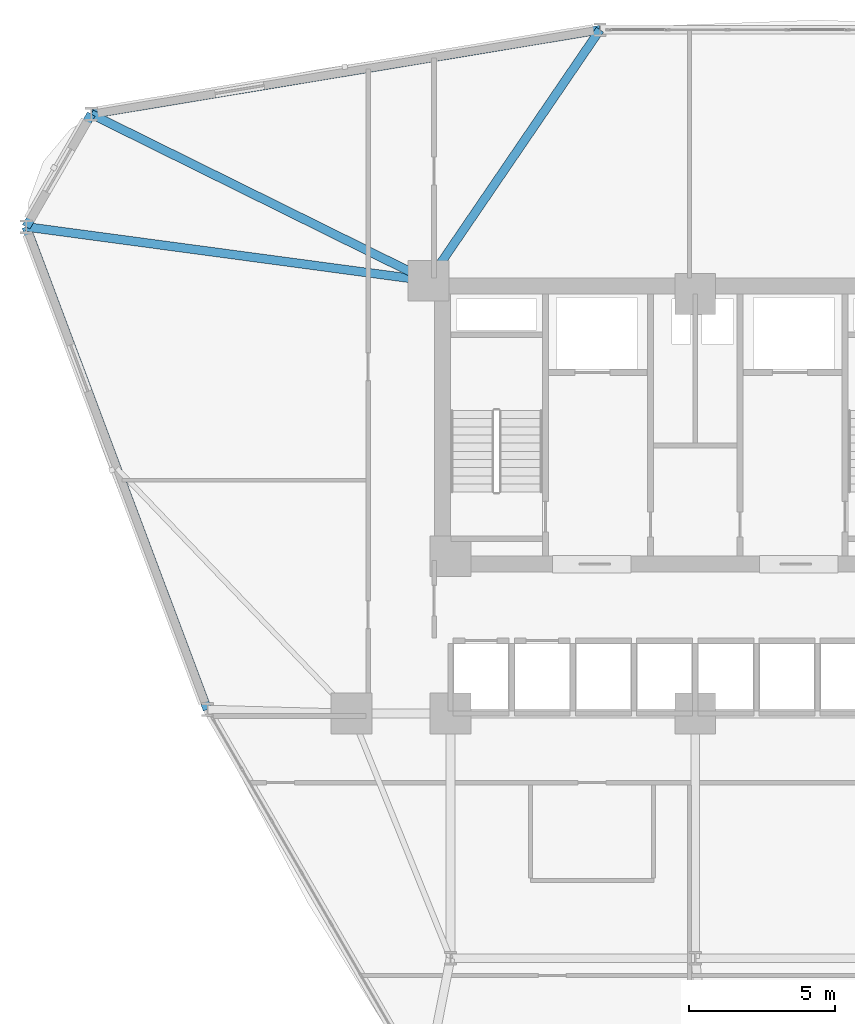
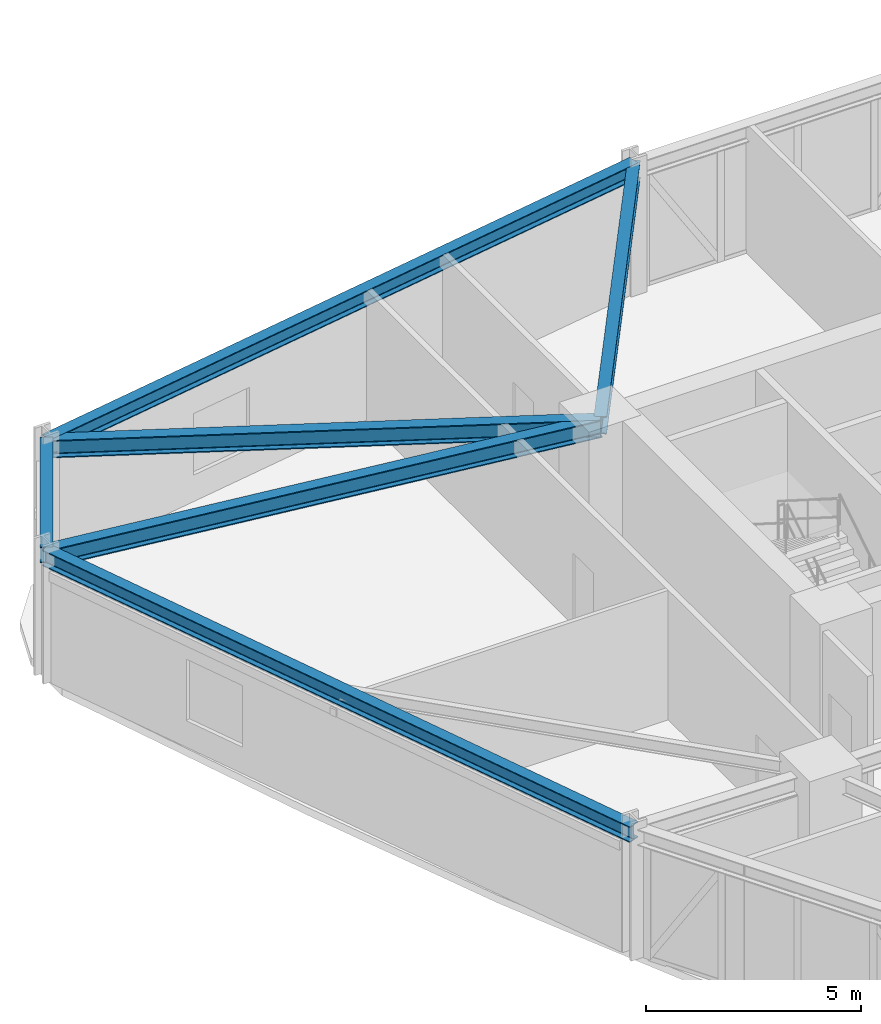
# One storey, part 9 of 20: 6 beams.
"""IFC4 building model written with IfcOpenShell, lengths in metres."""

import ifcopenshell
import ifcopenshell.guid

model = None  # the IFC model being written
_history = None  # IfcOwnerHistory: only IFC2X3 demands one
_inside = {}  # id of a spatial element -> (the spatial element, [elements in it])
_under = {}  # id of a project, library or spatial element -> (it, [spatial elements below it])
_declared = {}  # id of a project -> (the project, [libraries it declares])
_typed = {}  # id of a type object -> (the type object, [elements of that type])
_made_of = {}  # id of a material, layer set ... -> (it, [elements and type objects made of it])


def new_model(schema):
    """Start an empty IFC model of exactly this schema.

    Asked for "IFC4X3", IfcOpenShell would pick the latest addendum, in which some entities
    have other attributes; the version numbers below select the first issue.
    IFC2X3 requires an IfcOwnerHistory on every rooted entity: one is made here for all.
    """
    global model, _history
    if schema == "IFC4X3":
        model = ifcopenshell.file(schema_version=(4, 3, 0, 0))
    else:
        model = ifcopenshell.file(schema=schema)
    _inside.clear()
    _under.clear()
    _declared.clear()
    _typed.clear()
    _made_of.clear()
    _history = None
    if model.schema == "IFC2X3":
        org = make("IfcOrganization", Name="unknown")
        user = make(
            "IfcPersonAndOrganization",
            ThePerson=make("IfcPerson", FamilyName="unknown"),
            TheOrganization=org,
        )
        app = make(
            "IfcApplication",
            ApplicationDeveloper=org,
            Version="unknown",
            ApplicationFullName="unknown",
            ApplicationIdentifier="unknown",
        )
        _history = make(
            "IfcOwnerHistory",
            OwningUser=user,
            OwningApplication=app,
            ChangeAction="ADDED",
            CreationDate=0,
        )
    return model


def make(cls, **values):
    """One entity of the class cls with the attributes given. An attribute that is None is left unset."""
    return model.create_entity(
        cls, **{name: value for name, value in values.items() if value is not None}
    )


def rooted(cls, **values):
    """An entity with a GlobalId (a new one), such as an element, a storey or a relation."""
    return make(cls, GlobalId=ifcopenshell.guid.new(), OwnerHistory=_history, **values)


def si_unit(unit_type, name, prefix=None):
    """IfcSIUnit, for example si_unit("LENGTHUNIT", "METRE", prefix="MILLI")."""
    return make("IfcSIUnit", UnitType=unit_type, Prefix=prefix, Name=name)


def derived_unit(unit_type, elements):
    """IfcDerivedUnit: a product of units, each with its exponent."""
    return make(
        "IfcDerivedUnit",
        Elements=[
            make("IfcDerivedUnitElement", Unit=unit, Exponent=power)
            for unit, power in elements
        ],
        UnitType=unit_type,
    )


def assignment(units):
    """IfcUnitAssignment: the units of a project."""
    return None if units is None else make("IfcUnitAssignment", Units=units)


def point(xyz):
    """IfcCartesianPoint."""
    return None if xyz is None else make("IfcCartesianPoint", Coordinates=xyz)


def direction(xyz):
    """IfcDirection."""
    return None if xyz is None else make("IfcDirection", DirectionRatios=xyz)


def frame(location, z_axis=None, x_axis=None):
    """IfcAxis2Placement3D, a coordinate frame: its origin and axes. An axis left out is left unset."""
    return make(
        "IfcAxis2Placement3D",
        Location=point(location),
        Axis=direction(z_axis),
        RefDirection=direction(x_axis),
    )


def frame_2d(location, x_axis=None):
    """IfcAxis2Placement2D, a coordinate frame in the plane: its origin and x axis."""
    return make(
        "IfcAxis2Placement2D", Location=point(location), RefDirection=direction(x_axis)
    )


def origin():
    """The frame at (0, 0, 0) with its axes left unset."""
    return frame((0.0, 0.0, 0.0))


def origin_2d():
    """The frame at (0, 0) in the plane with its x axis left unset."""
    return frame_2d((0.0, 0.0))


def place(relative_to, where):
    """IfcLocalPlacement: puts the frame where relative to a parent placement (None: the world)."""
    return make(
        "IfcLocalPlacement", PlacementRelTo=relative_to, RelativePlacement=where
    )


def context(
    kind, dimensions, precision=None, world=None, true_north=None, identifier=None
):
    """IfcGeometricRepresentationContext, for example the 3D "Model" context."""
    return make(
        "IfcGeometricRepresentationContext",
        ContextIdentifier=identifier,
        ContextType=kind,
        CoordinateSpaceDimension=dimensions,
        Precision=precision,
        WorldCoordinateSystem=world,
        TrueNorth=true_north,
    )


def subcontext(parent, identifier, kind, view, scale=None):
    """IfcGeometricRepresentationSubContext, for example "Body" below "Model"."""
    return make(
        "IfcGeometricRepresentationSubContext",
        ContextIdentifier=identifier,
        ContextType=kind,
        ParentContext=parent,
        TargetScale=scale,
        TargetView=view,
    )


def project(units=None, contexts=None):
    """IfcProject with its units and contexts."""
    return rooted(
        "IfcProject",
        Name="project",
        RepresentationContexts=contexts,
        UnitsInContext=assignment(units),
    )


def spatial(cls, under=None, at=None, **own):
    """A site, building, storey or space (cls), placed at a placement, below another one or the project."""
    s = rooted(cls, ObjectPlacement=at, **own)
    if under is not None:
        _under.setdefault(under.id(), (under, []))[1].append(s)
    return s


def profile(cls, at=None, kind="AREA", **sizes):
    """A parametric profile (cls). Its sizes go by their IFC names, for example OverallWidth=200.0."""
    return make(cls, ProfileType=kind, Position=at, **sizes)


def i_section(**sizes):
    """IfcIShapeProfileDef."""
    return profile("IfcIShapeProfileDef", **sizes)


def extrude(swept, where, along, depth):
    """IfcExtrudedAreaSolid: the profile swept, set in the frame where, extruded along a direction by depth."""
    return make(
        "IfcExtrudedAreaSolid",
        SweptArea=swept,
        Position=where,
        ExtrudedDirection=direction(along),
        Depth=depth,
    )


def shape(context_of_items, identifier, shape_type, items):
    """IfcShapeRepresentation: the items that make up one representation, for example the "Body"."""
    return make(
        "IfcShapeRepresentation",
        ContextOfItems=context_of_items,
        RepresentationIdentifier=identifier,
        RepresentationType=shape_type,
        Items=items,
    )


def source(mapping_origin, context_of_items, identifier, shape_type, items):
    """IfcRepresentationMap: a shape defined once, which mapped items show again and again."""
    return make(
        "IfcRepresentationMap",
        MappingOrigin=mapping_origin,
        MappedRepresentation=shape(context_of_items, identifier, shape_type, items),
    )


def transform(
    local_origin,
    x_axis=None,
    y_axis=None,
    z_axis=None,
    scale=None,
    scale2=None,
    scale3=None,
    uniform=True,
):
    """IfcCartesianTransformationOperator3D, or its non-uniform kind. x_axis, y_axis, z_axis: its Axis1, 2, 3."""
    if uniform:
        return make(
            "IfcCartesianTransformationOperator3D",
            Axis1=direction(x_axis),
            Axis2=direction(y_axis),
            LocalOrigin=point(local_origin),
            Scale=scale,
            Axis3=direction(z_axis),
        )
    return make(
        "IfcCartesianTransformationOperator3DnonUniform",
        Axis1=direction(x_axis),
        Axis2=direction(y_axis),
        LocalOrigin=point(local_origin),
        Scale=scale,
        Axis3=direction(z_axis),
        Scale2=scale2,
        Scale3=scale3,
    )


def mapped(mapping_source, mapping_target):
    """IfcMappedItem: shows the shape of a source again, moved by a transform."""
    return make(
        "IfcMappedItem", MappingSource=mapping_source, MappingTarget=mapping_target
    )


def material(Name=None, Category=None):
    """IfcMaterial."""
    return make("IfcMaterial", Name=Name, Category=Category)


def material_profile(
    of_material, cross_section, Name=None, Category=None, Priority=None
):
    """IfcMaterialProfile: a cross section and its material."""
    return make(
        "IfcMaterialProfile",
        Name=Name,
        Material=of_material,
        Profile=cross_section,
        Priority=Priority,
        Category=Category,
    )


def profile_set(profiles, Name=None, composite=None):
    """IfcMaterialProfileSet."""
    return make(
        "IfcMaterialProfileSet",
        Name=Name,
        MaterialProfiles=profiles,
        CompositeProfile=composite,
    )


def made_of(thing, what):
    """Note that an element or type object is made of a material, layer set ...; save() writes the relation."""
    if what is not None:
        _made_of.setdefault(what.id(), (what, []))[1].append(thing)
    return thing


def type_object(cls, material=None, **own):
    """A type object (cls), such as IfcWallType, which elements share."""
    return made_of(rooted(cls, **own), material)


def element(
    cls,
    number,
    at=None,
    inside=None,
    cuts=None,
    type_object=None,
    material=None,
    context=None,
    identifier="Body",
    shape_type=None,
    held_by="IfcProductDefinitionShape",
    body=None,
    shapes=None,
    **own,
):
    """One element of the class cls, such as IfcWall. Its Tag is "e" and its number.

    at: its placement. inside: the storey or other place that contains it. cuts: it is an
    opening in that element (IfcRelVoidsElement). A single representation is given by context,
    identifier, shape_type and body (its items); several are given by shapes. held_by: the class
    of the entity that holds the representations. save() writes the other relations.
    """
    e = rooted(cls, Tag="e%d" % number, ObjectPlacement=at, **own)
    if body is not None:
        shapes = [shape(context, identifier, shape_type, body)]
    if shapes is not None:
        e.Representation = make(held_by, Representations=shapes)
    if inside is not None:
        _inside.setdefault(inside.id(), (inside, []))[1].append(e)
    if cuts is not None:
        rooted(
            "IfcRelVoidsElement", RelatingBuildingElement=cuts, RelatedOpeningElement=e
        )
    if type_object is not None:
        _typed.setdefault(type_object.id(), (type_object, []))[1].append(e)
    return made_of(e, material)


def aggregate(whole, parts):
    """IfcRelAggregates: a whole, such as a stair, and the parts it consists of."""
    return rooted("IfcRelAggregates", RelatingObject=whole, RelatedObjects=parts)


def save(model, path):
    """Write the relations noted so far, then the file.

    IfcRelAggregates (storeys below a building ...), IfcRelContainedInSpatialStructure (elements
    in a storey), IfcRelDefinesByType, IfcRelAssociatesMaterial and IfcRelDeclares: one each for
    every whole, place, type object, material and project.
    """
    for whole, parts in _under.values():
        aggregate(whole, parts)
    for where, things in _inside.values():
        rooted(
            "IfcRelContainedInSpatialStructure",
            RelatedElements=things,
            RelatingStructure=where,
        )
    for kind, things in _typed.values():
        rooted("IfcRelDefinesByType", RelatedObjects=things, RelatingType=kind)
    for what, things in _made_of.values():
        rooted("IfcRelAssociatesMaterial", RelatedObjects=things, RelatingMaterial=what)
    for by, libraries in _declared.values():
        rooted("IfcRelDeclares", RelatingContext=by, RelatedDefinitions=libraries)
    model.write(path)


model = new_model("IFC4")

# Units and contexts
model_context = context("Model", 3, precision=1e-05, world=origin(), true_north=direction((0.0, 1.0)))
body_context = subcontext(model_context, "Body", "Model", "MODEL_VIEW")
ifc_project = project(units=[si_unit("LENGTHUNIT", "METRE"), si_unit("AREAUNIT", "SQUARE_METRE"), si_unit("VOLUMEUNIT", "CUBIC_METRE"), si_unit("PLANEANGLEUNIT", "RADIAN"), si_unit("MASSUNIT", "GRAM", prefix="KILO"), derived_unit("THERMALTRANSMITTANCEUNIT", [(si_unit("POWERUNIT", "WATT"), 1), (si_unit("LENGTHUNIT", "METRE"), -2), (si_unit("THERMODYNAMICTEMPERATUREUNIT", "KELVIN"), -1)])], contexts=[model_context])

# Site, building, storey
site_placement = place(None, origin())
site = spatial("IfcSite", under=ifc_project, at=site_placement, CompositionType="ELEMENT")
building_placement = place(site_placement, origin())
building = spatial("IfcBuilding", under=site, at=building_placement, Name="Korsvarv Bourse and Concert Hall", CompositionType="ELEMENT")
storey_placement = place(building_placement, frame((0.0, 0.0, 79.5)))
storey = spatial("IfcBuildingStorey", under=building, at=storey_placement, Name="L19", CompositionType="ELEMENT", Elevation=79.5)

# Beams
ifc_material = material(Name="Steel S355", Category="steel")
ifc_material_profile_1 = material_profile(ifc_material, i_section(OverallWidth=0.300048828125, OverallDepth=0.449951171875, WebThickness=0.013916015625, FlangeThickness=0.02587890625, FilletRadius=0.02099609375, at=origin_2d()), Name="HEB 450")
ifc_profile_set_1 = profile_set([ifc_material_profile_1], Name="Steel S355")
beam_type_1 = type_object("IfcBeamType", Name="BM-HEB450", PredefinedType="SPANDREL", material=ifc_profile_set_1)
shared_shape_1 = source(origin(), body_context, "Body", "SweptSolid", [
    extrude(i_section(OverallWidth=0.300048828125, OverallDepth=0.449951171875, WebThickness=0.013916015625, FlangeThickness=0.02587890625, FilletRadius=0.02099609375, at=origin_2d()), origin(), (0.0, 0.0, 1.0), 17.69775390625),
])
for number, where, z_axis, x_axis, name in (
    (1, (32.731201171875, 55.86767578125, 3.455078125), (-0.986522993276, -0.163622687109, 0.0), (0.163622687109, -0.986522993276, 0.0), "L19 beam B-08"),
    (2, (13.037841796875, 49.102294921875, 3.455078125), (0.351563328241, -0.936164102194, 0.0), (0.936164102194, 0.351563328241, 0.0), "L19 beam B-08"),
):
    element("IfcBeam", number, at=place(storey_placement, frame(where, z_axis=z_axis, x_axis=x_axis)), inside=storey, type_object=beam_type_1, Name=name, PredefinedType="SPANDREL", context=body_context, shape_type="MappedRepresentation", body=[
        mapped(shared_shape_1, transform((0.0, 0.0, 0.0), scale=1.0)),
    ])
shared_shape_2 = source(origin(), body_context, "Body", "SweptSolid", [
    extrude(i_section(OverallWidth=0.300048828125, OverallDepth=0.449951171875, WebThickness=0.013916015625, FlangeThickness=0.02587890625, FilletRadius=0.02099609375, at=origin_2d()), origin(), (0.0, 0.0, 1.0), 4.46826171875),
])
beam_1_placement = place(storey_placement, frame((15.27197265625, 52.971923828125, 3.455078125), z_axis=(-0.499999927604, -0.866025445582, 0.0), x_axis=(0.866025445582, -0.499999927604, 0.0)))
element("IfcBeam", 3, at=beam_1_placement, inside=storey, type_object=beam_type_1, Name="L19 beam B-08", PredefinedType="SPANDREL", context=body_context, shape_type="MappedRepresentation", body=[
    mapped(shared_shape_2, transform((0.0, 0.0, 0.0), scale=1.0)),
])
ifc_material_profile_2 = material_profile(ifc_material, i_section(OverallWidth=0.300048828125, OverallDepth=0.5, WebThickness=0.014404296875, FlangeThickness=0.028076171875, FilletRadius=0.02392578125, at=origin_2d()), Name="HEB 500")
ifc_profile_set_2 = profile_set([ifc_material_profile_2], Name="Steel S355")
beam_type_2 = type_object("IfcBeamType", Name="BM-HEB500", PredefinedType="BEAM", material=ifc_profile_set_2)
shared_shape_3 = source(origin(), body_context, "Body", "SweptSolid", [
    extrude(i_section(OverallWidth=0.300048828125, OverallDepth=0.5, WebThickness=0.014404296875, FlangeThickness=0.028076171875, FilletRadius=0.02392578125, at=origin_2d()), origin(), (0.0, 0.0, 1.0), 10.43310546875),
])
beam_2_placement = place(storey_placement, frame((32.731201171875, 55.86767578125, 3.429931640625), z_axis=(-0.563691111614, -0.825985672205, 0.0), x_axis=(0.825985672205, -0.563691111614, 0.0)))
element("IfcBeam", 4, at=beam_2_placement, inside=storey, type_object=beam_type_2, Name="L19 beam B-07", PredefinedType="BEAM", context=body_context, shape_type="MappedRepresentation", body=[
    mapped(shared_shape_3, transform((0.0, 0.0, 0.0), scale=1.0)),
])
shared_shape_4 = source(origin(), body_context, "Body", "SweptSolid", [
    extrude(i_section(OverallWidth=0.300048828125, OverallDepth=0.5, WebThickness=0.014404296875, FlangeThickness=0.028076171875, FilletRadius=0.02392578125, at=origin_2d()), origin(), (0.0, 0.0, 1.0), 12.914794921875),
])
beam_3_placement = place(storey_placement, frame((15.27197265625, 52.971923828125, 3.429931640625), z_axis=(0.896496947443, -0.443049910535, 0.0), x_axis=(0.443049910535, 0.896496947443, 0.0)))
element("IfcBeam", 5, at=beam_3_placement, inside=storey, type_object=beam_type_2, Name="L19 beam B-07", PredefinedType="BEAM", context=body_context, shape_type="MappedRepresentation", body=[
    mapped(shared_shape_4, transform((0.0, 0.0, 0.0), scale=1.0)),
])
shared_shape_5 = source(origin(), body_context, "Body", "SweptSolid", [
    extrude(i_section(OverallWidth=0.300048828125, OverallDepth=0.5, WebThickness=0.014404296875, FlangeThickness=0.028076171875, FilletRadius=0.02392578125, at=origin_2d()), origin(), (0.0, 0.0, 1.0), 13.935791015625),
])
beam_4_placement = place(storey_placement, frame((13.037841796875, 49.102294921875, 3.429931640625), z_axis=(0.991127398865, -0.132915308443, 0.0), x_axis=(0.132915308443, 0.991127398865, 0.0)))
element("IfcBeam", 6, at=beam_4_placement, inside=storey, type_object=beam_type_2, Name="L19 beam B-07", PredefinedType="BEAM", context=body_context, shape_type="MappedRepresentation", body=[
    mapped(shared_shape_5, transform((0.0, 0.0, 0.0), scale=1.0)),
])

save(model, "model.ifc")
